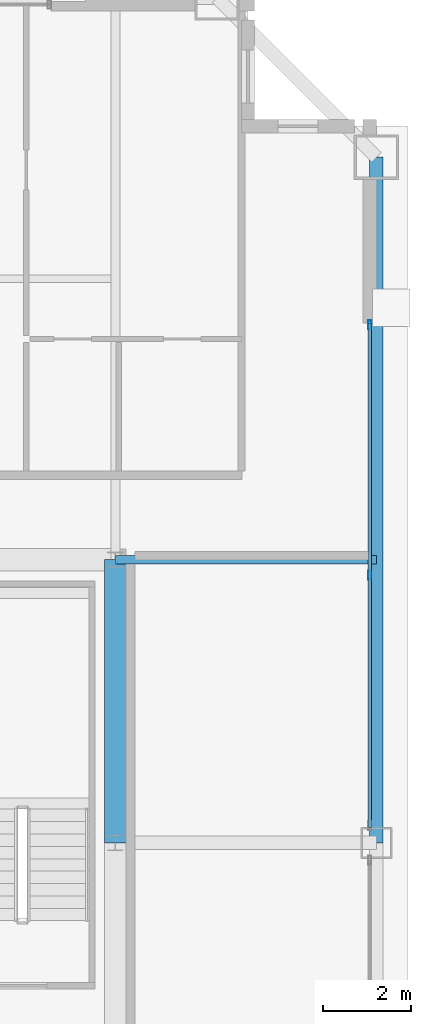
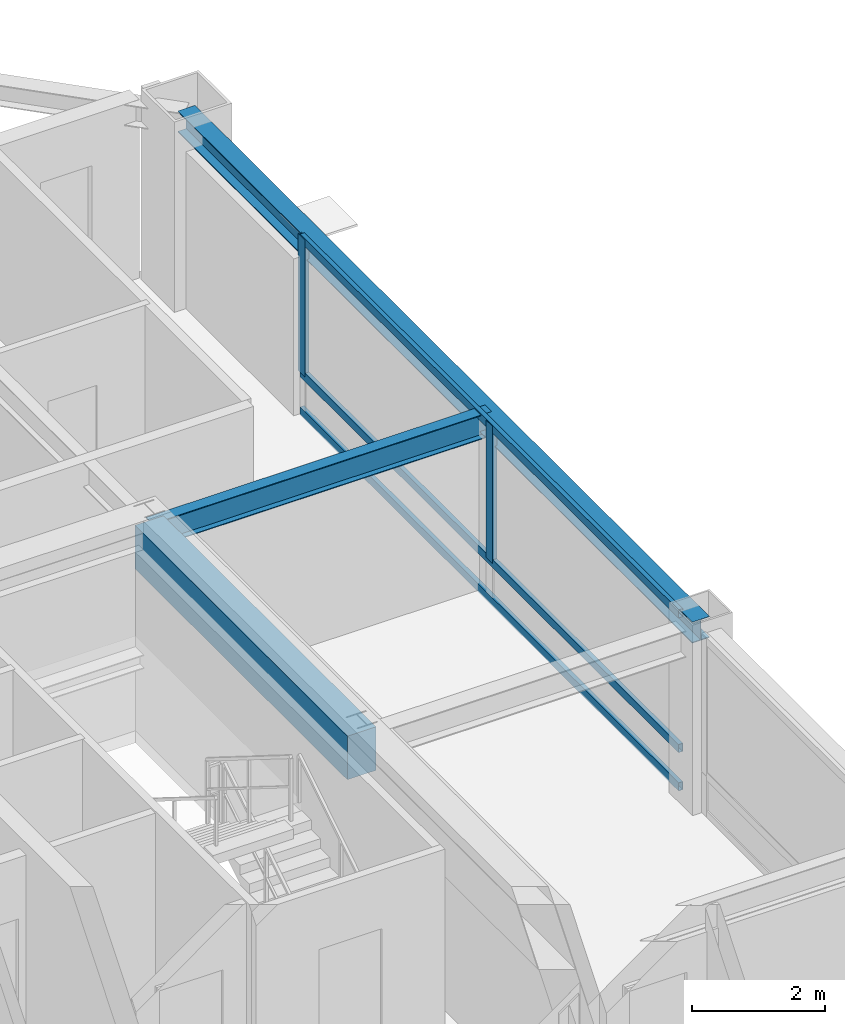
# One storey, part 15 of 35: 5 members, 3 beams, 1 element without a shape of its own.
"""IFC4 building model written with IfcOpenShell, lengths in metres."""

from ifc_helpers import new_model, si_unit, direction, frame, origin, origin_2d, place, context, subcontext, project, spatial, rectangle, hollow_rectangle, i_section, extrude, source, transform, mapped, material, layer, layer_set, material_profile, profile_set, type_object, element, aggregate, save


model = new_model("IFC4")

# Units and contexts
model_context = context("Model", 3, precision=1e-05, world=origin(), true_north=direction((0.0, 1.0)))
body_context = subcontext(model_context, "Body", "Model", "MODEL_VIEW")
ifc_project = project(units=[si_unit("LENGTHUNIT", "METRE"), si_unit("AREAUNIT", "SQUARE_METRE"), si_unit("VOLUMEUNIT", "CUBIC_METRE"), si_unit("PLANEANGLEUNIT", "RADIAN"), si_unit("MASSUNIT", "GRAM", prefix="KILO"), si_unit("THERMODYNAMICTEMPERATUREUNIT", "KELVIN"), si_unit("POWERUNIT", "WATT")], contexts=[model_context])

# Site, building, storey
site_placement = place(None, origin())
site = spatial("IfcSite", under=ifc_project, at=site_placement, CompositionType="ELEMENT")
building_placement = place(site_placement, origin())
building = spatial("IfcBuilding", under=site, at=building_placement, Name="Yuzanri Waterfront Tower", CompositionType="ELEMENT")
storey_placement = place(building_placement, frame((0.0, 0.0, 332.199951171875)))
storey = spatial("IfcBuildingStorey", under=building, at=storey_placement, Name="L89", CompositionType="ELEMENT", Elevation=332.199951171875)

# Beams
ifc_material_1 = material(Name="Concrete C50", Category="concrete")
ifc_material_profile_1 = material_profile(ifc_material_1, rectangle(XDim=0.5, YDim=0.800048828125, at=origin_2d()), Name="RC 500x800")
ifc_profile_set_1 = profile_set([ifc_material_profile_1], Name="Concrete C50")
beam_type_1 = type_object("IfcBeamType", Name="Core Coupling Lintel Concrete C50 500x800", PredefinedType="LINTEL", material=ifc_profile_set_1)
shared_shape_1 = source(origin(), body_context, "Body", "SweptSolid", [
    extrude(rectangle(XDim=0.5, YDim=0.800048828125, at=origin_2d()), origin(), (0.0, 0.0, 1.0), 6.39990234375),
])
beam_1_placement = place(storey_placement, frame((50.199951171875, 25.800048828125, 2.880126953125), z_axis=(0.0, 1.0, 0.0), x_axis=(-1.0, 0.0, 0.0)))
element("IfcBeam", 1, at=beam_1_placement, inside=storey, type_object=beam_type_1, Name="L89 Core Tie Beam CE2", PredefinedType="LINTEL", context=body_context, shape_type="MappedRepresentation", body=[
    mapped(shared_shape_1, transform((0.0, 0.0, 0.0), scale=1.0)),
])
ifc_material_2 = material(Name="Steel Q355B", Category="steel")
ifc_material_profile_2 = material_profile(ifc_material_2, i_section(OverallWidth=0.300048828125, OverallDepth=0.389892578125, WebThickness=0.010009765625, FlangeThickness=0.01611328125, at=origin_2d()), Name="HM 390x300x10x16")
ifc_profile_set_2 = profile_set([ifc_material_profile_2], Name="Steel Q355B")
beam_type_2 = type_object("IfcBeamType", Name="Perimeter Spandrel Q355B HM 390x300", PredefinedType="SPANDREL", material=ifc_profile_set_2)
shared_shape_2 = source(origin(), body_context, "Body", "SweptSolid", [
    extrude(i_section(OverallWidth=0.300048828125, OverallDepth=0.389892578125, WebThickness=0.010009765625, FlangeThickness=0.01611328125, at=origin_2d()), origin(), (0.0, 0.0, 1.0), 15.5),
])
beam_2_placement = place(storey_placement, frame((56.10009765625, 25.800048828125, 3.0849609375), z_axis=(0.0, 1.0, 0.0), x_axis=(-1.0, 0.0, 0.0)))
element("IfcBeam", 2, at=beam_2_placement, inside=storey, type_object=beam_type_2, Name="L89 Perimeter Spandrel E2-E3", PredefinedType="SPANDREL", context=body_context, shape_type="MappedRepresentation", body=[
    mapped(shared_shape_2, transform((0.0, 0.0, 0.0), scale=1.0)),
])
ifc_material_3 = material(Name="Steel Q355B", Category="steel")
ifc_material_profile_3 = material_profile(ifc_material_3, i_section(OverallWidth=0.199951171875, OverallDepth=0.449951171875, WebThickness=0.009033203125, FlangeThickness=0.013916015625, at=origin_2d()), Name="HN 450x200x9x14")
ifc_profile_set_3 = profile_set([ifc_material_profile_3], Name="Steel Q355B")
beam_type_3 = type_object("IfcBeamType", Name="Secondary Floor Beam Q355B HN 450x200", PredefinedType="BEAM", material=ifc_profile_set_3)
shared_shape_3 = source(origin(), body_context, "Body", "SweptSolid", [
    extrude(i_section(OverallWidth=0.199951171875, OverallDepth=0.449951171875, WebThickness=0.009033203125, FlangeThickness=0.013916015625, at=origin_2d()), origin(), (0.0, 0.0, 1.0), 5.900146484375),
])
beam_3_placement = place(storey_placement, frame((50.199951171875, 32.199951171875, 3.054931640625), z_axis=(1.0, 0.0, 0.0), x_axis=(0.0, 1.0, 0.0)))
element("IfcBeam", 3, at=beam_3_placement, inside=storey, type_object=beam_type_3, Name="L89 East-North Core Line Beam", PredefinedType="BEAM", context=body_context, shape_type="MappedRepresentation", body=[
    mapped(shared_shape_3, transform((0.0, 0.0, 0.0), scale=1.0)),
])

# Curtain wall, members
ifc_material_4 = material(Name="Anodized Architectural Bronze", Category="metal")
ifc_layer = layer(ifc_material_4, 0.159912109375)
ifc_layer_set = layer_set([ifc_layer], Name="Anodized Architectural Bronze")
curtain_wall_type = type_object("IfcCurtainWallType", Name="Anodized Bronze High-Rise Penthouse High-Wind Unitized Curtain Wall 6900", PredefinedType="NOTDEFINED", material=ifc_layer_set)
curtain_wall_placement = place(storey_placement, origin())
curtain_wall = element("IfcCurtainWall", 4, at=curtain_wall_placement, inside=storey, type_object=curtain_wall_type, Name="L89 Curtain Wall CW-L89-ER", PredefinedType="NOTDEFINED")
ifc_material_5 = material(Name="Anodized Architectural Bronze", Category="metal")
ifc_material_profile_4 = material_profile(ifc_material_5, hollow_rectangle(XDim=0.074951171875, YDim=0.199951171875, WallThickness=0.00390625, at=origin_2d()), Name="CWM 75x200")
ifc_profile_set_4 = profile_set([ifc_material_profile_4], Name="Anodized Architectural Bronze")
member_type_1 = type_object("IfcMemberType", Name="Anodized Bronze Primary Curtain-Wall Mullion 75x200", PredefinedType="MULLION", material=ifc_profile_set_4)
shared_shape_4 = source(origin(), body_context, "Body", "SweptSolid", [
    extrude(hollow_rectangle(XDim=0.074951171875, YDim=0.199951171875, WallThickness=0.00390625, at=origin_2d()), origin(), (0.0, 0.0, 1.0), 2.52392578125),
])
member_1_placement = place(storey_placement, frame((55.949951171875, 31.85009765625, 0.756103515625), z_axis=(0.0, 0.0, 1.0), x_axis=(1.0, 0.0, 0.0)))
member_1 = element("IfcMember", 5, at=member_1_placement, type_object=member_type_1, Name="CW-L89-ER Upper Mullion 01", PredefinedType="MULLION", context=body_context, shape_type="MappedRepresentation", body=[
    mapped(shared_shape_4, transform((0.0, 0.0, 0.0), scale=1.0)),
])
member_2_placement = place(storey_placement, frame((55.949951171875, 37.510009765625, 0.756103515625), z_axis=(0.0, 0.0, 1.0), x_axis=(1.0, 0.0, 0.0)))
member_2 = element("IfcMember", 6, at=member_2_placement, type_object=member_type_1, Name="CW-L89-ER Upper Mullion 02", PredefinedType="MULLION", context=body_context, shape_type="MappedRepresentation", body=[
    mapped(shared_shape_4, transform((0.0, 0.0, 0.0), scale=1.0)),
])
ifc_material_6 = material(Name="Anodized Architectural Bronze", Category="metal")
ifc_material_profile_5 = material_profile(ifc_material_6, hollow_rectangle(XDim=0.074951171875, YDim=0.14990234375, WallThickness=0.00390625, at=origin_2d()), Name="CWT 75x150")
ifc_profile_set_5 = profile_set([ifc_material_profile_5], Name="Anodized Architectural Bronze")
member_type_2 = type_object("IfcMemberType", Name="Anodized Bronze Primary Curtain-Wall Transom 75x150", PredefinedType="USERDEFINED", material=ifc_profile_set_5)
shared_shape_5 = source(origin(), body_context, "Body", "SweptSolid", [
    extrude(hollow_rectangle(XDim=0.074951171875, YDim=0.14990234375, WallThickness=0.00390625, at=origin_2d()), origin(), (0.0, 0.0, 1.0), 11.400146484375),
])
member_3_placement = place(storey_placement, frame((55.949951171875, 26.14990234375, 0.050048828125), z_axis=(0.0, 1.0, 0.0), x_axis=(-1.0, 0.0, 0.0)))
member_3 = element("IfcMember", 7, at=member_3_placement, type_object=member_type_2, Name="CW-L89-ER Transom 1", ObjectType="TRANSOM", PredefinedType="USERDEFINED", context=body_context, shape_type="MappedRepresentation", body=[
    mapped(shared_shape_5, transform((0.0, 0.0, 0.0), scale=1.0)),
])
member_4_placement = place(storey_placement, frame((55.949951171875, 26.14990234375, 0.754150390625), z_axis=(0.0, 1.0, 0.0), x_axis=(-1.0, 0.0, 0.0)))
member_4 = element("IfcMember", 8, at=member_4_placement, type_object=member_type_2, Name="CW-L89-ER Transom 2", ObjectType="TRANSOM", PredefinedType="USERDEFINED", context=body_context, shape_type="MappedRepresentation", body=[
    mapped(shared_shape_5, transform((0.0, 0.0, 0.0), scale=1.0)),
])
member_5_placement = place(storey_placement, frame((55.949951171875, 26.14990234375, 3.22998046875), z_axis=(0.0, 1.0, 0.0), x_axis=(-1.0, 0.0, 0.0)))
member_5 = element("IfcMember", 9, at=member_5_placement, type_object=member_type_2, Name="CW-L89-ER Transom 3", ObjectType="TRANSOM", PredefinedType="USERDEFINED", context=body_context, shape_type="MappedRepresentation", body=[
    mapped(shared_shape_5, transform((0.0, 0.0, 0.0), scale=1.0)),
])
aggregate(curtain_wall, [member_1, member_2, member_3, member_4, member_5])

save(model, "model.ifc")
